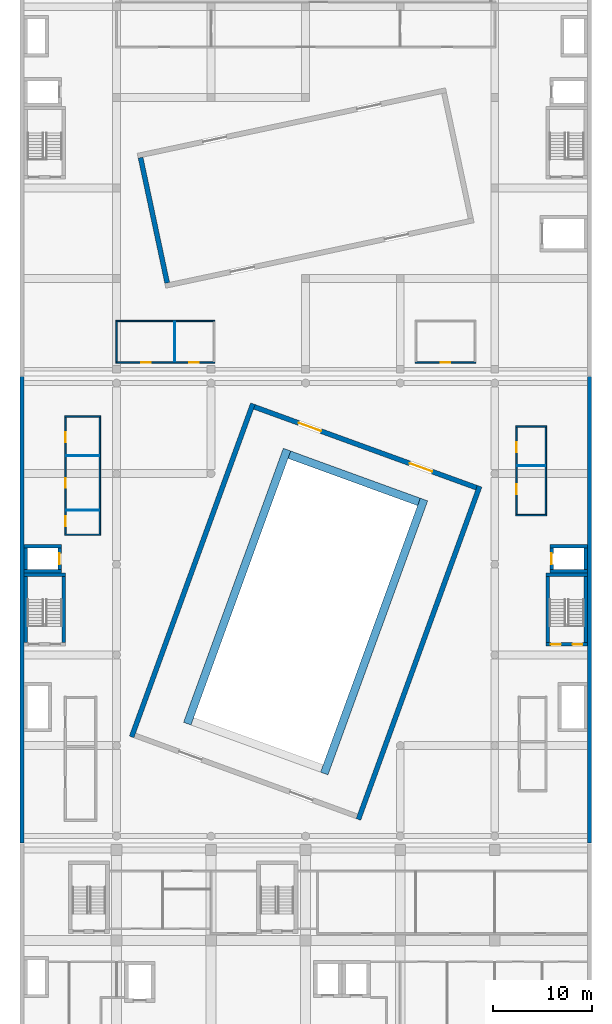
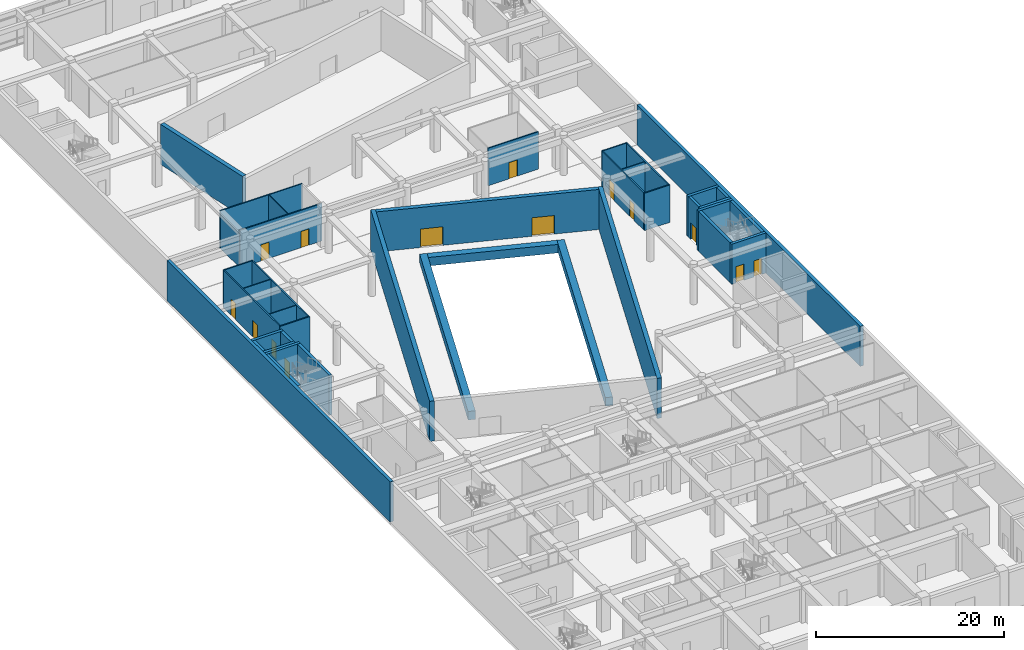
# One storey, part 12 of 31: 40 walls, 14 doors, 14 openings.
"""IFC4 building model written with IfcOpenShell, lengths in metres."""

import ifcopenshell
import ifcopenshell.guid

model = None  # the IFC model being written
_history = None  # IfcOwnerHistory: only IFC2X3 demands one
_inside = {}  # id of a spatial element -> (the spatial element, [elements in it])
_under = {}  # id of a project, library or spatial element -> (it, [spatial elements below it])
_declared = {}  # id of a project -> (the project, [libraries it declares])
_typed = {}  # id of a type object -> (the type object, [elements of that type])
_made_of = {}  # id of a material, layer set ... -> (it, [elements and type objects made of it])


def new_model(schema):
    """Start an empty IFC model of exactly this schema.

    Asked for "IFC4X3", IfcOpenShell would pick the latest addendum, in which some entities
    have other attributes; the version numbers below select the first issue.
    IFC2X3 requires an IfcOwnerHistory on every rooted entity: one is made here for all.
    """
    global model, _history
    if schema == "IFC4X3":
        model = ifcopenshell.file(schema_version=(4, 3, 0, 0))
    else:
        model = ifcopenshell.file(schema=schema)
    _inside.clear()
    _under.clear()
    _declared.clear()
    _typed.clear()
    _made_of.clear()
    _history = None
    if model.schema == "IFC2X3":
        org = make("IfcOrganization", Name="unknown")
        user = make(
            "IfcPersonAndOrganization",
            ThePerson=make("IfcPerson", FamilyName="unknown"),
            TheOrganization=org,
        )
        app = make(
            "IfcApplication",
            ApplicationDeveloper=org,
            Version="unknown",
            ApplicationFullName="unknown",
            ApplicationIdentifier="unknown",
        )
        _history = make(
            "IfcOwnerHistory",
            OwningUser=user,
            OwningApplication=app,
            ChangeAction="ADDED",
            CreationDate=0,
        )
    return model


def make(cls, **values):
    """One entity of the class cls with the attributes given. An attribute that is None is left unset."""
    return model.create_entity(
        cls, **{name: value for name, value in values.items() if value is not None}
    )


def rooted(cls, **values):
    """An entity with a GlobalId (a new one), such as an element, a storey or a relation."""
    return make(cls, GlobalId=ifcopenshell.guid.new(), OwnerHistory=_history, **values)


def si_unit(unit_type, name, prefix=None):
    """IfcSIUnit, for example si_unit("LENGTHUNIT", "METRE", prefix="MILLI")."""
    return make("IfcSIUnit", UnitType=unit_type, Prefix=prefix, Name=name)


def assignment(units):
    """IfcUnitAssignment: the units of a project."""
    return None if units is None else make("IfcUnitAssignment", Units=units)


def point(xyz):
    """IfcCartesianPoint."""
    return None if xyz is None else make("IfcCartesianPoint", Coordinates=xyz)


def direction(xyz):
    """IfcDirection."""
    return None if xyz is None else make("IfcDirection", DirectionRatios=xyz)


def frame(location, z_axis=None, x_axis=None):
    """IfcAxis2Placement3D, a coordinate frame: its origin and axes. An axis left out is left unset."""
    return make(
        "IfcAxis2Placement3D",
        Location=point(location),
        Axis=direction(z_axis),
        RefDirection=direction(x_axis),
    )


def frame_2d(location, x_axis=None):
    """IfcAxis2Placement2D, a coordinate frame in the plane: its origin and x axis."""
    return make(
        "IfcAxis2Placement2D", Location=point(location), RefDirection=direction(x_axis)
    )


def origin():
    """The frame at (0, 0, 0) with its axes left unset."""
    return frame((0.0, 0.0, 0.0))


def place(relative_to, where):
    """IfcLocalPlacement: puts the frame where relative to a parent placement (None: the world)."""
    return make(
        "IfcLocalPlacement", PlacementRelTo=relative_to, RelativePlacement=where
    )


def context(
    kind, dimensions, precision=None, world=None, true_north=None, identifier=None
):
    """IfcGeometricRepresentationContext, for example the 3D "Model" context."""
    return make(
        "IfcGeometricRepresentationContext",
        ContextIdentifier=identifier,
        ContextType=kind,
        CoordinateSpaceDimension=dimensions,
        Precision=precision,
        WorldCoordinateSystem=world,
        TrueNorth=true_north,
    )


def subcontext(parent, identifier, kind, view, scale=None):
    """IfcGeometricRepresentationSubContext, for example "Body" below "Model"."""
    return make(
        "IfcGeometricRepresentationSubContext",
        ContextIdentifier=identifier,
        ContextType=kind,
        ParentContext=parent,
        TargetScale=scale,
        TargetView=view,
    )


def project(units=None, contexts=None):
    """IfcProject with its units and contexts."""
    return rooted(
        "IfcProject",
        Name="project",
        RepresentationContexts=contexts,
        UnitsInContext=assignment(units),
    )


def spatial(cls, under=None, at=None, **own):
    """A site, building, storey or space (cls), placed at a placement, below another one or the project."""
    s = rooted(cls, ObjectPlacement=at, **own)
    if under is not None:
        _under.setdefault(under.id(), (under, []))[1].append(s)
    return s


def profile(cls, at=None, kind="AREA", **sizes):
    """A parametric profile (cls). Its sizes go by their IFC names, for example OverallWidth=200.0."""
    return make(cls, ProfileType=kind, Position=at, **sizes)


def rectangle(**sizes):
    """IfcRectangleProfileDef."""
    return profile("IfcRectangleProfileDef", **sizes)


def extrude(swept, where, along, depth):
    """IfcExtrudedAreaSolid: the profile swept, set in the frame where, extruded along a direction by depth."""
    return make(
        "IfcExtrudedAreaSolid",
        SweptArea=swept,
        Position=where,
        ExtrudedDirection=direction(along),
        Depth=depth,
    )


def shape(context_of_items, identifier, shape_type, items):
    """IfcShapeRepresentation: the items that make up one representation, for example the "Body"."""
    return make(
        "IfcShapeRepresentation",
        ContextOfItems=context_of_items,
        RepresentationIdentifier=identifier,
        RepresentationType=shape_type,
        Items=items,
    )


def material(Name=None, Category=None):
    """IfcMaterial."""
    return make("IfcMaterial", Name=Name, Category=Category)


def layer(
    of_material, thickness, ventilated=None, Name=None, Category=None, Priority=None
):
    """IfcMaterialLayer: one layer of a wall or slab, of a material (None: an air gap)."""
    return make(
        "IfcMaterialLayer",
        Material=of_material,
        LayerThickness=thickness,
        IsVentilated=ventilated,
        Name=Name,
        Category=Category,
        Priority=Priority,
    )


def layer_set(layers, Name=None):
    """IfcMaterialLayerSet."""
    return make("IfcMaterialLayerSet", MaterialLayers=layers, LayerSetName=Name)


def made_of(thing, what):
    """Note that an element or type object is made of a material, layer set ...; save() writes the relation."""
    if what is not None:
        _made_of.setdefault(what.id(), (what, []))[1].append(thing)
    return thing


def type_object(cls, material=None, **own):
    """A type object (cls), such as IfcWallType, which elements share."""
    return made_of(rooted(cls, **own), material)


def element(
    cls,
    number,
    at=None,
    inside=None,
    cuts=None,
    type_object=None,
    material=None,
    context=None,
    identifier="Body",
    shape_type=None,
    held_by="IfcProductDefinitionShape",
    body=None,
    shapes=None,
    **own,
):
    """One element of the class cls, such as IfcWall. Its Tag is "e" and its number.

    at: its placement. inside: the storey or other place that contains it. cuts: it is an
    opening in that element (IfcRelVoidsElement). A single representation is given by context,
    identifier, shape_type and body (its items); several are given by shapes. held_by: the class
    of the entity that holds the representations. save() writes the other relations.
    """
    e = rooted(cls, Tag="e%d" % number, ObjectPlacement=at, **own)
    if body is not None:
        shapes = [shape(context, identifier, shape_type, body)]
    if shapes is not None:
        e.Representation = make(held_by, Representations=shapes)
    if inside is not None:
        _inside.setdefault(inside.id(), (inside, []))[1].append(e)
    if cuts is not None:
        rooted(
            "IfcRelVoidsElement", RelatingBuildingElement=cuts, RelatedOpeningElement=e
        )
    if type_object is not None:
        _typed.setdefault(type_object.id(), (type_object, []))[1].append(e)
    return made_of(e, material)


def fill(opening, filler):
    """IfcRelFillsElement: the door or window that sits in an opening."""
    return rooted(
        "IfcRelFillsElement",
        RelatingOpeningElement=opening,
        RelatedBuildingElement=filler,
    )


def aggregate(whole, parts):
    """IfcRelAggregates: a whole, such as a stair, and the parts it consists of."""
    return rooted("IfcRelAggregates", RelatingObject=whole, RelatedObjects=parts)


def save(model, path):
    """Write the relations noted so far, then the file.

    IfcRelAggregates (storeys below a building ...), IfcRelContainedInSpatialStructure (elements
    in a storey), IfcRelDefinesByType, IfcRelAssociatesMaterial and IfcRelDeclares: one each for
    every whole, place, type object, material and project.
    """
    for whole, parts in _under.values():
        aggregate(whole, parts)
    for where, things in _inside.values():
        rooted(
            "IfcRelContainedInSpatialStructure",
            RelatedElements=things,
            RelatingStructure=where,
        )
    for kind, things in _typed.values():
        rooted("IfcRelDefinesByType", RelatedObjects=things, RelatingType=kind)
    for what, things in _made_of.values():
        rooted("IfcRelAssociatesMaterial", RelatedObjects=things, RelatingMaterial=what)
    for by, libraries in _declared.values():
        rooted("IfcRelDeclares", RelatingContext=by, RelatedDefinitions=libraries)
    model.write(path)


model = new_model("IFC4")

# Units and contexts
model_context = context("Model", 3, precision=1e-05, world=origin(), true_north=direction((0.0, 1.0)))
body_context = subcontext(model_context, "Body", "Model", "MODEL_VIEW")
ifc_project = project(units=[si_unit("LENGTHUNIT", "METRE"), si_unit("AREAUNIT", "SQUARE_METRE"), si_unit("VOLUMEUNIT", "CUBIC_METRE"), si_unit("PLANEANGLEUNIT", "RADIAN"), si_unit("MASSUNIT", "GRAM", prefix="KILO")], contexts=[model_context])

# Site, building, storey
site_placement = place(None, origin())
site = spatial("IfcSite", under=ifc_project, at=site_placement, CompositionType="ELEMENT")
building_placement = place(site_placement, origin())
building = spatial("IfcBuilding", under=site, at=building_placement, Name="Nzadi Deep Aquarium and Research Tower", CompositionType="ELEMENT")
storey_placement = place(building_placement, frame((0.0, 0.0, 26.699951171875)))
storey = spatial("IfcBuildingStorey", under=building, at=storey_placement, Name="L04", CompositionType="ELEMENT", Elevation=26.699951171875)

# Walls
ifc_material_1 = material(Name="Blockwork masonry", Category="masonry")
ifc_layer_1 = layer(ifc_material_1, 0.10009765625)
ifc_layer_set_1 = layer_set([ifc_layer_1], Name="Blockwork masonry")
wall_type_1 = type_object("IfcWallType", Name="Partition 100 EI 30", PredefinedType="PARTITIONING", material=ifc_layer_set_1)
for number, where, z_axis, x_axis, name in (
    (1, (4.47509765625, 80.5, 0.0), (0.0, 0.0, 1.0), (1.0, 0.0, 0.0), "W-Z2-L04-P006"),
    (2, (4.47509765625, 86.0, 0.0), (0.0, 0.0, 1.0), (1.0, 0.0, 0.0), "W-Z2-L04-P007"),
):
    element("IfcWall", number, at=place(storey_placement, frame(where, z_axis=z_axis, x_axis=x_axis)), inside=storey, type_object=wall_type_1, Name=name, PredefinedType="PARTITIONING", context=body_context, shape_type="SweptSolid", body=[
        extrude(rectangle(XDim=3.349853515625, YDim=0.10009765625, at=frame_2d((1.6748046875, 0.0))), origin(), (0.0, 0.0, 1.0), 4.85009765625),
    ])
wall_1_placement = place(storey_placement, frame((50.27490234375, 85.0, 0.0), z_axis=(0.0, 0.0, 1.0), x_axis=(1.0, 0.0, 0.0)))
element("IfcWall", 3, at=wall_1_placement, inside=storey, type_object=wall_type_1, Name="W-Z2-L04-P015", PredefinedType="PARTITIONING", context=body_context, shape_type="SweptSolid", body=[
    extrude(rectangle(XDim=2.85009765625, YDim=0.10009765625, at=frame_2d((1.425048828125, 0.0))), origin(), (0.0, 0.0, 1.0), 4.85009765625),
])
wall_2_placement = place(storey_placement, frame((15.5, 95.574951171875, 0.0), z_axis=(0.0, 0.0, 1.0), x_axis=(0.0, 1.0, 0.0)))
element("IfcWall", 4, at=wall_2_placement, inside=storey, type_object=wall_type_1, Name="W-Z3-L04-P009", PredefinedType="PARTITIONING", context=body_context, shape_type="SweptSolid", body=[
    extrude(rectangle(XDim=4.050048828125, YDim=0.10009765625, at=frame_2d((2.02490234375, 0.0))), origin(), (0.0, 0.0, 1.0), 4.85009765625),
])
ifc_material_2 = material(Name="Blockwork masonry", Category="masonry")
ifc_layer_2 = layer(ifc_material_2, 0.14990234375)
ifc_layer_set_2 = layer_set([ifc_layer_2], Name="Blockwork masonry")
wall_type_2 = type_object("IfcWallType", Name="Partition 150 EI 60", PredefinedType="PARTITIONING", material=ifc_layer_set_2)
wall_3_placement = place(storey_placement, frame((4.324951171875, 78.0, 0.0), z_axis=(0.0, 0.0, 1.0), x_axis=(1.0, 0.0, 0.0)))
element("IfcWall", 5, at=wall_3_placement, inside=storey, type_object=wall_type_2, Name="W-Z2-L04-P003", PredefinedType="PARTITIONING", context=body_context, shape_type="SweptSolid", body=[
    extrude(rectangle(XDim=3.650146484375, YDim=0.14990234375, at=frame_2d((1.8251953125, 0.0))), origin(), (0.0, 0.0, 1.0), 4.85009765625),
])

# Wall, openings, doors
wall_4_placement = place(storey_placement, frame((4.39990234375, 78.074951171875, 0.0), z_axis=(0.0, 0.0, 1.0), x_axis=(0.0, 1.0, 0.0)))
wall_4 = element("IfcWall", 6, at=wall_4_placement, inside=storey, type_object=wall_type_2, Name="W-Z2-L04-P004", PredefinedType="PARTITIONING", context=body_context, shape_type="SweptSolid", body=[
    extrude(rectangle(XDim=11.85009765625, YDim=0.14990234375, at=frame_2d((5.925048828125, 0.0))), origin(), (0.0, 0.0, 1.0), 4.85009765625),
])
opening_1_placement = place(wall_4_placement, frame((4.675048828125, 0.0, 0.0)))
opening_1 = element("IfcOpeningElement", 7, at=opening_1_placement, cuts=wall_4, Name="Opening D052005", PredefinedType="OPENING", context=body_context, shape_type="SweptSolid", body=[
    extrude(rectangle(XDim=1.0, YDim=2.10009765625, at=frame_2d((0.5, 1.050048828125))), frame((0.0, 0.0849609375, 0.0), z_axis=(0.0, -1.0, 0.0), x_axis=(1.0, 0.0, 0.0)), (0.0, 0.0, 1.0), 0.169921875),
])
opening_2_placement = place(wall_4_placement, frame((9.31494140625, 0.0, 0.0)))
opening_2 = element("IfcOpeningElement", 8, at=opening_2_placement, cuts=wall_4, Name="Opening D052006", PredefinedType="OPENING", context=body_context, shape_type="SweptSolid", body=[
    extrude(rectangle(XDim=1.0, YDim=2.10009765625, at=frame_2d((0.5, 1.050048828125))), frame((0.0, 0.0849609375, 0.0), z_axis=(0.0, -1.0, 0.0), x_axis=(1.0, 0.0, 0.0)), (0.0, 0.0, 1.0), 0.169921875),
])
opening_3_placement = place(wall_4_placement, frame((0.784912109375, 0.0, 0.0)))
opening_3 = element("IfcOpeningElement", 9, at=opening_3_placement, cuts=wall_4, Name="Opening D052009", PredefinedType="OPENING", context=body_context, shape_type="SweptSolid", body=[
    extrude(rectangle(XDim=1.0, YDim=2.10009765625, at=frame_2d((0.5, 1.050048828125))), frame((0.0, 0.0849609375, 0.0), z_axis=(0.0, -1.0, 0.0), x_axis=(1.0, 0.0, 0.0)), (0.0, 0.0, 1.0), 0.169921875),
])
ifc_material_3 = material(Name="Fire-rated steel door", Category="steel")
ifc_layer_3 = layer(ifc_material_3, 0.050048828125)
ifc_layer_set_3 = layer_set([ifc_layer_3], Name="Fire-rated steel door")
door_type_1 = type_object("IfcDoorType", Name="Door 1000x2100 EI 60 single", OperationType="SINGLE_SWING_LEFT", PredefinedType="DOOR", material=ifc_layer_set_3)
door_1_placement = place(opening_1_placement, origin())
door_1 = element("IfcDoor", 10, at=door_1_placement, inside=storey, type_object=door_type_1, Name="D052005", OperationType="SINGLE_SWING_RIGHT", OverallHeight=2.10009765625, OverallWidth=1.0, PredefinedType="DOOR", context=body_context, shape_type="SweptSolid", body=[
    extrude(rectangle(XDim=1.0, YDim=2.10009765625, at=frame_2d((0.5, 1.050048828125))), frame((0.0, 0.02490234375, 0.0), z_axis=(0.0, -1.0, 0.0), x_axis=(1.0, 0.0, 0.0)), (0.0, 0.0, 1.0), 0.050048828125),
])
fill(opening_1, door_1)
door_2_placement = place(opening_2_placement, origin())
door_2 = element("IfcDoor", 11, at=door_2_placement, inside=storey, type_object=door_type_1, Name="D052006", OperationType="SINGLE_SWING_LEFT", OverallHeight=2.10009765625, OverallWidth=1.0, PredefinedType="DOOR", context=body_context, shape_type="SweptSolid", body=[
    extrude(rectangle(XDim=1.0, YDim=2.10009765625, at=frame_2d((0.5, 1.050048828125))), frame((0.0, 0.02490234375, 0.0), z_axis=(0.0, -1.0, 0.0), x_axis=(1.0, 0.0, 0.0)), (0.0, 0.0, 1.0), 0.050048828125),
])
fill(opening_2, door_2)
door_3_placement = place(opening_3_placement, origin())
door_3 = element("IfcDoor", 12, at=door_3_placement, inside=storey, type_object=door_type_1, Name="D052009", OperationType="SINGLE_SWING_RIGHT", OverallHeight=2.10009765625, OverallWidth=1.0, PredefinedType="DOOR", context=body_context, shape_type="SweptSolid", body=[
    extrude(rectangle(XDim=1.0, YDim=2.10009765625, at=frame_2d((0.5, 1.050048828125))), frame((0.0, 0.02490234375, 0.0), z_axis=(0.0, -1.0, 0.0), x_axis=(1.0, 0.0, 0.0)), (0.0, 0.0, 1.0), 0.050048828125),
])
fill(opening_3, door_3)

# Walls
wall_5_placement = place(storey_placement, frame((4.324951171875, 90.0, 0.0), z_axis=(0.0, 0.0, 1.0), x_axis=(1.0, 0.0, 0.0)))
element("IfcWall", 13, at=wall_5_placement, inside=storey, type_object=wall_type_2, Name="W-Z2-L04-P005", PredefinedType="PARTITIONING", context=body_context, shape_type="SweptSolid", body=[
    extrude(rectangle(XDim=3.650146484375, YDim=0.14990234375, at=frame_2d((1.8251953125, 0.0))), origin(), (0.0, 0.0, 1.0), 4.85009765625),
])
wall_6_placement = place(storey_placement, frame((7.89990234375, 78.074951171875, 0.0), z_axis=(0.0, 0.0, 1.0), x_axis=(0.0, 1.0, 0.0)))
element("IfcWall", 14, at=wall_6_placement, inside=storey, type_object=wall_type_2, Name="W-Z2-L04-P011", PredefinedType="PARTITIONING", context=body_context, shape_type="SweptSolid", body=[
    extrude(rectangle(XDim=11.85009765625, YDim=0.14990234375, at=frame_2d((5.925048828125, 0.0))), origin(), (0.0, 0.0, 1.0), 4.85009765625),
])
wall_7_placement = place(storey_placement, frame((50.125, 80.0, 0.0), z_axis=(0.0, 0.0, 1.0), x_axis=(1.0, 0.0, 0.0)))
element("IfcWall", 15, at=wall_7_placement, inside=storey, type_object=wall_type_2, Name="W-Z2-L04-P012", PredefinedType="PARTITIONING", context=body_context, shape_type="SweptSolid", body=[
    extrude(rectangle(XDim=3.14990234375, YDim=0.14990234375, at=frame_2d((1.574951171875, 0.0))), origin(), (0.0, 0.0, 1.0), 4.85009765625),
])

# Wall, openings, doors
wall_8_placement = place(storey_placement, frame((50.199951171875, 80.074951171875, 0.0), z_axis=(0.0, 0.0, 1.0), x_axis=(0.0, 1.0, 0.0)))
wall_8 = element("IfcWall", 16, at=wall_8_placement, inside=storey, type_object=wall_type_2, Name="W-Z2-L04-P013", PredefinedType="PARTITIONING", context=body_context, shape_type="SweptSolid", body=[
    extrude(rectangle(XDim=8.85009765625, YDim=0.14990234375, at=frame_2d((4.425048828125, 0.0))), origin(), (0.0, 0.0, 1.0), 4.85009765625),
])
opening_4_placement = place(wall_8_placement, frame((2.034912109375, 0.0, 0.0)))
opening_4 = element("IfcOpeningElement", 17, at=opening_4_placement, cuts=wall_8, Name="Opening D052007", PredefinedType="OPENING", context=body_context, shape_type="SweptSolid", body=[
    extrude(rectangle(XDim=1.0, YDim=2.10009765625, at=frame_2d((0.5, 1.050048828125))), frame((0.0, 0.0849609375, 0.0), z_axis=(0.0, -1.0, 0.0), x_axis=(1.0, 0.0, 0.0)), (0.0, 0.0, 1.0), 0.169921875),
])
opening_5_placement = place(wall_8_placement, frame((6.31494140625, 0.0, 0.0)))
opening_5 = element("IfcOpeningElement", 18, at=opening_5_placement, cuts=wall_8, Name="Opening D052008", PredefinedType="OPENING", context=body_context, shape_type="SweptSolid", body=[
    extrude(rectangle(XDim=1.0, YDim=2.10009765625, at=frame_2d((0.5, 1.050048828125))), frame((0.0, 0.0849609375, 0.0), z_axis=(0.0, -1.0, 0.0), x_axis=(1.0, 0.0, 0.0)), (0.0, 0.0, 1.0), 0.169921875),
])
door_4_placement = place(opening_4_placement, origin())
door_4 = element("IfcDoor", 19, at=door_4_placement, inside=storey, type_object=door_type_1, Name="D052007", OperationType="SINGLE_SWING_RIGHT", OverallHeight=2.10009765625, OverallWidth=1.0, PredefinedType="DOOR", context=body_context, shape_type="SweptSolid", body=[
    extrude(rectangle(XDim=1.0, YDim=2.10009765625, at=frame_2d((0.5, 1.050048828125))), frame((0.0, 0.02490234375, 0.0), z_axis=(0.0, -1.0, 0.0), x_axis=(1.0, 0.0, 0.0)), (0.0, 0.0, 1.0), 0.050048828125),
])
fill(opening_4, door_4)
door_5_placement = place(opening_5_placement, origin())
door_5 = element("IfcDoor", 20, at=door_5_placement, inside=storey, type_object=door_type_1, Name="D052008", OperationType="SINGLE_SWING_LEFT", OverallHeight=2.10009765625, OverallWidth=1.0, PredefinedType="DOOR", context=body_context, shape_type="SweptSolid", body=[
    extrude(rectangle(XDim=1.0, YDim=2.10009765625, at=frame_2d((0.5, 1.050048828125))), frame((0.0, 0.02490234375, 0.0), z_axis=(0.0, -1.0, 0.0), x_axis=(1.0, 0.0, 0.0)), (0.0, 0.0, 1.0), 0.050048828125),
])
fill(opening_5, door_5)

# Walls
wall_9_placement = place(storey_placement, frame((50.125, 89.0, 0.0), z_axis=(0.0, 0.0, 1.0), x_axis=(1.0, 0.0, 0.0)))
element("IfcWall", 21, at=wall_9_placement, inside=storey, type_object=wall_type_2, Name="W-Z2-L04-P014", PredefinedType="PARTITIONING", context=body_context, shape_type="SweptSolid", body=[
    extrude(rectangle(XDim=3.14990234375, YDim=0.14990234375, at=frame_2d((1.574951171875, 0.0))), origin(), (0.0, 0.0, 1.0), 4.85009765625),
])
wall_10_placement = place(storey_placement, frame((53.199951171875, 80.074951171875, 0.0), z_axis=(0.0, 0.0, 1.0), x_axis=(0.0, 1.0, 0.0)))
element("IfcWall", 22, at=wall_10_placement, inside=storey, type_object=wall_type_2, Name="W-Z2-L04-P021", PredefinedType="PARTITIONING", context=body_context, shape_type="SweptSolid", body=[
    extrude(rectangle(XDim=8.85009765625, YDim=0.14990234375, at=frame_2d((4.425048828125, 0.0))), origin(), (0.0, 0.0, 1.0), 4.85009765625),
])

# Wall, openings, doors
wall_11_placement = place(storey_placement, frame((9.52490234375, 95.5, 0.0), z_axis=(0.0, 0.0, 1.0), x_axis=(1.0, 0.0, 0.0)))
wall_11 = element("IfcWall", 23, at=wall_11_placement, inside=storey, type_object=wall_type_2, Name="W-Z3-L04-P001", PredefinedType="PARTITIONING", context=body_context, shape_type="SweptSolid", body=[
    extrude(rectangle(XDim=10.050048828125, YDim=0.14990234375, at=frame_2d((5.02490234375, 0.0))), origin(), (0.0, 0.0, 1.0), 4.85009765625),
])
opening_6_placement = place(wall_11_placement, frame((2.56005859375, 0.0, 0.0)))
opening_6 = element("IfcOpeningElement", 24, at=opening_6_placement, cuts=wall_11, Name="Opening D053001", PredefinedType="OPENING", context=body_context, shape_type="SweptSolid", body=[
    extrude(rectangle(XDim=1.0, YDim=2.10009765625, at=frame_2d((0.5, 1.050048828125))), frame((0.0, 0.0849609375, 0.0), z_axis=(0.0, -1.0, 0.0), x_axis=(1.0, 0.0, 0.0)), (0.0, 0.0, 1.0), 0.169921875),
])
opening_7_placement = place(wall_11_placement, frame((7.43994140625, 0.0, 0.0)))
opening_7 = element("IfcOpeningElement", 25, at=opening_7_placement, cuts=wall_11, Name="Opening D053002", PredefinedType="OPENING", context=body_context, shape_type="SweptSolid", body=[
    extrude(rectangle(XDim=1.0, YDim=2.10009765625, at=frame_2d((0.5, 1.050048828125))), frame((0.0, 0.0849609375, 0.0), z_axis=(0.0, -1.0, 0.0), x_axis=(1.0, 0.0, 0.0)), (0.0, 0.0, 1.0), 0.169921875),
])
door_6_placement = place(opening_6_placement, origin())
door_6 = element("IfcDoor", 26, at=door_6_placement, inside=storey, type_object=door_type_1, Name="D053001", OperationType="SINGLE_SWING_LEFT", OverallHeight=2.10009765625, OverallWidth=1.0, PredefinedType="DOOR", context=body_context, shape_type="SweptSolid", body=[
    extrude(rectangle(XDim=1.0, YDim=2.10009765625, at=frame_2d((0.5, 1.050048828125))), frame((0.0, 0.02490234375, 0.0), z_axis=(0.0, -1.0, 0.0), x_axis=(1.0, 0.0, 0.0)), (0.0, 0.0, 1.0), 0.050048828125),
])
fill(opening_6, door_6)
door_7_placement = place(opening_7_placement, origin())
door_7 = element("IfcDoor", 27, at=door_7_placement, inside=storey, type_object=door_type_1, Name="D053002", OperationType="SINGLE_SWING_RIGHT", OverallHeight=2.10009765625, OverallWidth=1.0, PredefinedType="DOOR", context=body_context, shape_type="SweptSolid", body=[
    extrude(rectangle(XDim=1.0, YDim=2.10009765625, at=frame_2d((0.5, 1.050048828125))), frame((0.0, 0.02490234375, 0.0), z_axis=(0.0, -1.0, 0.0), x_axis=(1.0, 0.0, 0.0)), (0.0, 0.0, 1.0), 0.050048828125),
])
fill(opening_7, door_7)

# Wall
wall_12_placement = place(storey_placement, frame((9.52490234375, 99.699951171875, 0.0), z_axis=(0.0, 0.0, 1.0), x_axis=(1.0, 0.0, 0.0)))
element("IfcWall", 28, at=wall_12_placement, inside=storey, type_object=wall_type_2, Name="W-Z3-L04-P003", PredefinedType="PARTITIONING", context=body_context, shape_type="SweptSolid", body=[
    extrude(rectangle(XDim=10.050048828125, YDim=0.14990234375, at=frame_2d((5.02490234375, 0.0))), origin(), (0.0, 0.0, 1.0), 4.85009765625),
])

# Wall, opening, door
wall_13_placement = place(storey_placement, frame((39.925048828125, 95.5, 0.0), z_axis=(0.0, 0.0, 1.0), x_axis=(1.0, 0.0, 0.0)))
wall_13 = element("IfcWall", 29, at=wall_13_placement, inside=storey, type_object=wall_type_2, Name="W-Z3-L04-P016", PredefinedType="PARTITIONING", context=body_context, shape_type="SweptSolid", body=[
    extrude(rectangle(XDim=6.14990234375, YDim=0.14990234375, at=frame_2d((3.074951171875, 0.0))), origin(), (0.0, 0.0, 1.0), 4.85009765625),
])
opening_8_placement = place(wall_13_placement, frame((2.574951171875, 0.0, 0.0)))
opening_8 = element("IfcOpeningElement", 30, at=opening_8_placement, cuts=wall_13, Name="Opening D053003", PredefinedType="OPENING", context=body_context, shape_type="SweptSolid", body=[
    extrude(rectangle(XDim=1.0, YDim=2.10009765625, at=frame_2d((0.5, 1.050048828125))), frame((0.0, 0.0849609375, 0.0), z_axis=(0.0, -1.0, 0.0), x_axis=(1.0, 0.0, 0.0)), (0.0, 0.0, 1.0), 0.169921875),
])
door_8_placement = place(opening_8_placement, origin())
door_8 = element("IfcDoor", 31, at=door_8_placement, inside=storey, type_object=door_type_1, Name="D053003", OperationType="SINGLE_SWING_LEFT", OverallHeight=2.10009765625, OverallWidth=1.0, PredefinedType="DOOR", context=body_context, shape_type="SweptSolid", body=[
    extrude(rectangle(XDim=1.0, YDim=2.10009765625, at=frame_2d((0.5, 1.050048828125))), frame((0.0, 0.02490234375, 0.0), z_axis=(0.0, -1.0, 0.0), x_axis=(1.0, 0.0, 0.0)), (0.0, 0.0, 1.0), 0.050048828125),
])
fill(opening_8, door_8)

# Walls
ifc_material_4 = material(Name="Blockwork masonry", Category="masonry")
ifc_layer_4 = layer(ifc_material_4, 0.14990234375)
ifc_layer_set_4 = layer_set([ifc_layer_4], Name="Blockwork masonry")
wall_type_3 = type_object("IfcWallType", Name="Partition 150 EI 60, 4.45 m high", PredefinedType="PARTITIONING", material=ifc_layer_set_4)
wall_14_placement = place(storey_placement, frame((9.60009765625, 95.574951171875, 0.0), z_axis=(0.0, 0.0, 1.0), x_axis=(0.0, 1.0, 0.0)))
element("IfcWall", 32, at=wall_14_placement, inside=storey, type_object=wall_type_3, Name="W-Z3-L04-P002", PredefinedType="PARTITIONING", context=body_context, shape_type="SweptSolid", body=[
    extrude(rectangle(XDim=4.050048828125, YDim=0.14990234375, at=frame_2d((2.02490234375, 0.0))), origin(), (0.0, 0.0, 1.0), 4.449951171875),
])
ifc_material_5 = material(Name="Concrete C35/45", Category="concrete")
ifc_layer_5 = layer(ifc_material_5, 0.35009765625)
ifc_layer_set_5 = layer_set([ifc_layer_5], Name="Concrete C35/45")
wall_type_4 = type_object("IfcWallType", Name="RC core wall 350", PredefinedType="SHEAR", material=ifc_layer_set_5)
wall_15_placement = place(storey_placement, frame((0.199951171875, 73.925048828125, 0.0), z_axis=(0.0, 0.0, 1.0), x_axis=(1.0, 0.0, 0.0)))
element("IfcWall", 33, at=wall_15_placement, inside=storey, type_object=wall_type_4, Name="W-CORE-ST-Z2-W-L04-N", PredefinedType="SHEAR", context=body_context, shape_type="SweptSolid", body=[
    extrude(rectangle(XDim=4.199951171875, YDim=0.35009765625, at=frame_2d((2.10009765625, 0.0))), origin(), (0.0, 0.0, 1.0), 5.199951171875),
])
for number, where, z_axis, x_axis, name in (
    (34, (0.375, 67.050048828125, 0.0), (0.0, 0.0, 1.0), (0.0, 1.0, 0.0), "W-CORE-ST-Z2-W-L04-W"),
    (35, (4.22509765625, 67.050048828125, 0.0), (0.0, 0.0, 1.0), (0.0, 1.0, 0.0), "W-CORE-ST-Z2-W-L04-E"),
):
    element("IfcWall", number, at=place(storey_placement, frame(where, z_axis=z_axis, x_axis=x_axis)), inside=storey, type_object=wall_type_4, Name=name, PredefinedType="SHEAR", context=body_context, shape_type="SweptSolid", body=[
        extrude(rectangle(XDim=6.699951171875, YDim=0.35009765625, at=frame_2d((3.35009765625, 0.0))), origin(), (0.0, 0.0, 1.0), 5.199951171875),
    ])

# Wall, openings, doors
wall_16_placement = place(storey_placement, frame((53.199951171875, 66.875, 0.0), z_axis=(0.0, 0.0, 1.0), x_axis=(1.0, 0.0, 0.0)))
wall_16 = element("IfcWall", 36, at=wall_16_placement, inside=storey, type_object=wall_type_4, Name="W-CORE-ST-Z2-E-L04-S", PredefinedType="SHEAR", context=body_context, shape_type="SweptSolid", body=[
    extrude(rectangle(XDim=4.199951171875, YDim=0.35009765625, at=frame_2d((2.10009765625, 0.0))), origin(), (0.0, 0.0, 1.0), 5.199951171875),
])
opening_9_placement = place(wall_16_placement, frame((0.5, 0.0, 0.0)))
opening_9 = element("IfcOpeningElement", 37, at=opening_9_placement, cuts=wall_16, Name="Opening DS-Z2-E-L04A", PredefinedType="OPENING", context=body_context, shape_type="SweptSolid", body=[
    extrude(rectangle(XDim=1.0, YDim=2.10009765625, at=frame_2d((0.5, 1.050048828125))), frame((0.0, 0.18505859375, 0.0), z_axis=(0.0, -1.0, 0.0), x_axis=(1.0, 0.0, 0.0)), (0.0, 0.0, 1.0), 0.3701171875),
])
opening_10_placement = place(wall_16_placement, frame((2.699951171875, 0.0, 0.0)))
opening_10 = element("IfcOpeningElement", 38, at=opening_10_placement, cuts=wall_16, Name="Opening DS-Z2-E-L04B", PredefinedType="OPENING", context=body_context, shape_type="SweptSolid", body=[
    extrude(rectangle(XDim=1.0, YDim=2.10009765625, at=frame_2d((0.5, 1.050048828125))), frame((0.0, 0.18505859375, 0.0), z_axis=(0.0, -1.0, 0.0), x_axis=(1.0, 0.0, 0.0)), (0.0, 0.0, 1.0), 0.3701171875),
])
ifc_material_6 = material(Name="Steel, powder coated", Category="steel")
door_type_2 = type_object("IfcDoorType", Name="STAIR DOOR 1000x2100 EI 60", OperationType="SINGLE_SWING_LEFT", PredefinedType="DOOR", material=ifc_material_6)
door_9_placement = place(opening_9_placement, origin())
door_9 = element("IfcDoor", 39, at=door_9_placement, inside=storey, type_object=door_type_2, Name="Stair door ST-Z2-E L04 A", OperationType="SINGLE_SWING_RIGHT", OverallHeight=2.10009765625, OverallWidth=1.0, PredefinedType="DOOR", context=body_context, shape_type="SweptSolid", body=[
    extrude(rectangle(XDim=1.0, YDim=2.10009765625, at=frame_2d((0.5, 1.050048828125))), frame((0.0, 0.02490234375, 0.0), z_axis=(0.0, -1.0, 0.0), x_axis=(1.0, 0.0, 0.0)), (0.0, 0.0, 1.0), 0.050048828125),
])
fill(opening_9, door_9)
door_10_placement = place(opening_10_placement, origin())
door_10 = element("IfcDoor", 40, at=door_10_placement, inside=storey, type_object=door_type_2, Name="Stair door ST-Z2-E L04 B", OperationType="SINGLE_SWING_LEFT", OverallHeight=2.10009765625, OverallWidth=1.0, PredefinedType="DOOR", context=body_context, shape_type="SweptSolid", body=[
    extrude(rectangle(XDim=1.0, YDim=2.10009765625, at=frame_2d((0.5, 1.050048828125))), frame((0.0, 0.02490234375, 0.0), z_axis=(0.0, -1.0, 0.0), x_axis=(1.0, 0.0, 0.0)), (0.0, 0.0, 1.0), 0.050048828125),
])
fill(opening_10, door_10)

# Walls
wall_17_placement = place(storey_placement, frame((53.199951171875, 73.925048828125, 0.0), z_axis=(0.0, 0.0, 1.0), x_axis=(1.0, 0.0, 0.0)))
element("IfcWall", 41, at=wall_17_placement, inside=storey, type_object=wall_type_4, Name="W-CORE-ST-Z2-E-L04-N", PredefinedType="SHEAR", context=body_context, shape_type="SweptSolid", body=[
    extrude(rectangle(XDim=4.199951171875, YDim=0.35009765625, at=frame_2d((2.10009765625, 0.0))), origin(), (0.0, 0.0, 1.0), 5.199951171875),
])
for number, where, z_axis, x_axis, name in (
    (42, (53.375, 67.050048828125, 0.0), (0.0, 0.0, 1.0), (0.0, 1.0, 0.0), "W-CORE-ST-Z2-E-L04-W"),
    (43, (57.22509765625, 67.050048828125, 0.0), (0.0, 0.0, 1.0), (0.0, 1.0, 0.0), "W-CORE-ST-Z2-E-L04-E"),
):
    element("IfcWall", number, at=place(storey_placement, frame(where, z_axis=z_axis, x_axis=x_axis)), inside=storey, type_object=wall_type_4, Name=name, PredefinedType="SHEAR", context=body_context, shape_type="SweptSolid", body=[
        extrude(rectangle(XDim=6.699951171875, YDim=0.35009765625, at=frame_2d((3.35009765625, 0.0))), origin(), (0.0, 0.0, 1.0), 5.199951171875),
    ])
for number, where, z_axis, x_axis, name in (
    (44, (0.199951171875, 74.27490234375, 0.0), (0.0, 0.0, 1.0), (1.0, 0.0, 0.0), "W-CORE-PL3-L04-S"),
    (45, (0.199951171875, 76.824951171875, 0.0), (0.0, 0.0, 1.0), (1.0, 0.0, 0.0), "W-CORE-PL3-L04-N"),
):
    element("IfcWall", number, at=place(storey_placement, frame(where, z_axis=z_axis, x_axis=x_axis)), inside=storey, type_object=wall_type_4, Name=name, PredefinedType="SHEAR", context=body_context, shape_type="SweptSolid", body=[
        extrude(rectangle(XDim=3.800048828125, YDim=0.35009765625, at=frame_2d((1.89990234375, 0.0))), origin(), (0.0, 0.0, 1.0), 5.199951171875),
    ])
wall_18_placement = place(storey_placement, frame((0.375, 74.449951171875, 0.0), z_axis=(0.0, 0.0, 1.0), x_axis=(0.0, 1.0, 0.0)))
element("IfcWall", 46, at=wall_18_placement, inside=storey, type_object=wall_type_4, Name="W-CORE-PL3-L04-W", PredefinedType="SHEAR", context=body_context, shape_type="SweptSolid", body=[
    extrude(rectangle(XDim=2.199951171875, YDim=0.35009765625, at=frame_2d((1.10009765625, 0.0))), origin(), (0.0, 0.0, 1.0), 5.199951171875),
])

# Wall, opening, door
wall_19_placement = place(storey_placement, frame((3.824951171875, 74.449951171875, 0.0), z_axis=(0.0, 0.0, 1.0), x_axis=(0.0, 1.0, 0.0)))
wall_19 = element("IfcWall", 47, at=wall_19_placement, inside=storey, type_object=wall_type_4, Name="W-CORE-PL3-L04-E", PredefinedType="SHEAR", context=body_context, shape_type="SweptSolid", body=[
    extrude(rectangle(XDim=2.199951171875, YDim=0.35009765625, at=frame_2d((1.10009765625, 0.0))), origin(), (0.0, 0.0, 1.0), 5.199951171875),
])
opening_11_placement = place(wall_19_placement, frame((0.550048828125, 0.0, 0.0)))
opening_11 = element("IfcOpeningElement", 48, at=opening_11_placement, cuts=wall_19, Name="Opening LD-PL3-L04", PredefinedType="OPENING", context=body_context, shape_type="SweptSolid", body=[
    extrude(rectangle(XDim=1.10009765625, YDim=2.10009765625, at=frame_2d((0.550048828125, 1.050048828125))), frame((0.0, 0.18505859375, 0.0), z_axis=(0.0, -1.0, 0.0), x_axis=(1.0, 0.0, 0.0)), (0.0, 0.0, 1.0), 0.3701171875),
])
ifc_material_7 = material(Name="Stainless steel 1.4301", Category="steel")
door_type_3 = type_object("IfcDoorType", Name="LANDING DOOR 1100x2100", OperationType="DOUBLE_DOOR_SLIDING", PredefinedType="DOOR", material=ifc_material_7)
door_11_placement = place(opening_11_placement, origin())
door_11 = element("IfcDoor", 49, at=door_11_placement, inside=storey, type_object=door_type_3, Name="Landing door PL3 L04", OperationType="DOUBLE_DOOR_SLIDING", OverallHeight=2.10009765625, OverallWidth=1.10009765625, PredefinedType="DOOR", context=body_context, shape_type="SweptSolid", body=[
    extrude(rectangle(XDim=1.10009765625, YDim=2.10009765625, at=frame_2d((0.550048828125, 1.050048828125))), frame((0.0, 0.02490234375, 0.0), z_axis=(0.0, -1.0, 0.0), x_axis=(1.0, 0.0, 0.0)), (0.0, 0.0, 1.0), 0.050048828125),
])
fill(opening_11, door_11)

# Walls
for number, where, z_axis, x_axis, name in (
    (50, (53.60009765625, 74.27490234375, 0.0), (0.0, 0.0, 1.0), (1.0, 0.0, 0.0), "W-CORE-PL4-L04-S"),
    (51, (53.60009765625, 76.824951171875, 0.0), (0.0, 0.0, 1.0), (1.0, 0.0, 0.0), "W-CORE-PL4-L04-N"),
):
    element("IfcWall", number, at=place(storey_placement, frame(where, z_axis=z_axis, x_axis=x_axis)), inside=storey, type_object=wall_type_4, Name=name, PredefinedType="SHEAR", context=body_context, shape_type="SweptSolid", body=[
        extrude(rectangle(XDim=3.7998046875, YDim=0.35009765625, at=frame_2d((1.89990234375, 0.0))), origin(), (0.0, 0.0, 1.0), 5.199951171875),
    ])

# Wall, opening, door
wall_20_placement = place(storey_placement, frame((53.77490234375, 74.449951171875, 0.0), z_axis=(0.0, 0.0, 1.0), x_axis=(0.0, 1.0, 0.0)))
wall_20 = element("IfcWall", 52, at=wall_20_placement, inside=storey, type_object=wall_type_4, Name="W-CORE-PL4-L04-W", PredefinedType="SHEAR", context=body_context, shape_type="SweptSolid", body=[
    extrude(rectangle(XDim=2.199951171875, YDim=0.35009765625, at=frame_2d((1.10009765625, 0.0))), origin(), (0.0, 0.0, 1.0), 5.199951171875),
])
opening_12_placement = place(wall_20_placement, frame((0.550048828125, 0.0, 0.0)))
opening_12 = element("IfcOpeningElement", 53, at=opening_12_placement, cuts=wall_20, Name="Opening LD-PL4-L04", PredefinedType="OPENING", context=body_context, shape_type="SweptSolid", body=[
    extrude(rectangle(XDim=1.10009765625, YDim=2.10009765625, at=frame_2d((0.550048828125, 1.050048828125))), frame((0.0, 0.18505859375, 0.0), z_axis=(0.0, -1.0, 0.0), x_axis=(1.0, 0.0, 0.0)), (0.0, 0.0, 1.0), 0.3701171875),
])
door_12_placement = place(opening_12_placement, origin())
door_12 = element("IfcDoor", 54, at=door_12_placement, inside=storey, type_object=door_type_3, Name="Landing door PL4 L04", OperationType="DOUBLE_DOOR_SLIDING", OverallHeight=2.10009765625, OverallWidth=1.10009765625, PredefinedType="DOOR", context=body_context, shape_type="SweptSolid", body=[
    extrude(rectangle(XDim=1.10009765625, YDim=2.10009765625, at=frame_2d((0.550048828125, 1.050048828125))), frame((0.0, 0.02490234375, 0.0), z_axis=(0.0, -1.0, 0.0), x_axis=(1.0, 0.0, 0.0)), (0.0, 0.0, 1.0), 0.050048828125),
])
fill(opening_12, door_12)

# Walls
wall_21_placement = place(storey_placement, frame((57.22509765625, 74.449951171875, 0.0), z_axis=(0.0, 0.0, 1.0), x_axis=(0.0, 1.0, 0.0)))
element("IfcWall", 55, at=wall_21_placement, inside=storey, type_object=wall_type_4, Name="W-CORE-PL4-L04-E", PredefinedType="SHEAR", context=body_context, shape_type="SweptSolid", body=[
    extrude(rectangle(XDim=2.199951171875, YDim=0.35009765625, at=frame_2d((1.10009765625, 0.0))), origin(), (0.0, 0.0, 1.0), 5.199951171875),
])
ifc_material_8 = material(Name="Concrete C35/45", Category="concrete")
ifc_layer_6 = layer(ifc_material_8, 0.5)
ifc_layer_set_6 = layer_set([ifc_layer_6], Name="Concrete C35/45")
wall_type_5 = type_object("IfcWallType", Name="RC envelope wall 500", PredefinedType="SHEAR", material=ifc_layer_set_6)
wall_22_placement = place(storey_placement, frame((11.13232421875, 57.475341796875, 0.0), z_axis=(0.0, 0.0, 1.0), x_axis=(0.342021295667, 0.939692201367, 0.0)))
element("IfcWall", 56, at=wall_22_placement, inside=storey, type_object=wall_type_5, Name="W-PR-L04-W", PredefinedType="SHEAR", context=body_context, shape_type="SweptSolid", body=[
    extrude(rectangle(XDim=36.0, YDim=0.5, at=frame_2d((18.0, 0.0))), origin(), (0.0, 0.0, 1.0), 5.199951171875),
])
wall_23_placement = place(storey_placement, frame((34.15478515625, 49.095703125, 0.0), z_axis=(0.0, 0.0, 1.0), x_axis=(0.342019116079, 0.939692994673, 0.0)))
element("IfcWall", 57, at=wall_23_placement, inside=storey, type_object=wall_type_5, Name="W-PR-L04-E", PredefinedType="SHEAR", context=body_context, shape_type="SweptSolid", body=[
    extrude(rectangle(XDim=36.000244140625, YDim=0.5, at=frame_2d((18.0, 0.0))), origin(), (0.0, 0.0, 1.0), 5.199951171875),
])

# Wall, openings, doors
wall_24_placement = place(storey_placement, frame((23.594482421875, 90.98388671875, 0.0), z_axis=(0.0, 0.0, 1.0), x_axis=(0.939692994673, -0.342019116079, 0.0)))
wall_24 = element("IfcWall", 58, at=wall_24_placement, inside=storey, type_object=wall_type_5, Name="W-PR-L04-N", PredefinedType="SHEAR", context=body_context, shape_type="SweptSolid", body=[
    extrude(rectangle(XDim=24.0, YDim=0.5, at=frame_2d((12.0, 0.0))), origin(), (0.0, 0.0, 1.0), 5.199951171875),
])
opening_13_placement = place(wall_24_placement, frame((4.800048828125, 0.0, 0.0)))
opening_13 = element("IfcOpeningElement", 59, at=opening_13_placement, cuts=wall_24, Name="Opening D052011", PredefinedType="OPENING", context=body_context, shape_type="SweptSolid", body=[
    extrude(rectangle(XDim=2.39990234375, YDim=2.39990234375, at=frame_2d((1.199951171875, 1.199951171875))), frame((0.0, 0.260009765625, 0.0), z_axis=(0.0, -1.0, 0.0), x_axis=(1.0, 0.0, 0.0)), (0.0, 0.0, 1.0), 0.52001953125),
])
opening_14_placement = place(wall_24_placement, frame((16.800048828125, 0.0, 0.0)))
opening_14 = element("IfcOpeningElement", 60, at=opening_14_placement, cuts=wall_24, Name="Opening D052013", PredefinedType="OPENING", context=body_context, shape_type="SweptSolid", body=[
    extrude(rectangle(XDim=2.39990234375, YDim=2.39990234375, at=frame_2d((1.199951171875, 1.199951171875))), frame((0.0, 0.260009765625, 0.0), z_axis=(0.0, -1.0, 0.0), x_axis=(1.0, 0.0, 0.0)), (0.0, 0.0, 1.0), 0.52001953125),
])
ifc_material_9 = material(Name="Fire-rated steel door", Category="steel")
ifc_layer_7 = layer(ifc_material_9, 0.050048828125)
ifc_layer_set_7 = layer_set([ifc_layer_7], Name="Fire-rated steel door")
door_type_4 = type_object("IfcDoorType", Name="Door 2400x2400 EI 120 double", OperationType="DOUBLE_DOOR_SINGLE_SWING", PredefinedType="DOOR", material=ifc_layer_set_7)
door_13_placement = place(opening_13_placement, origin())
door_13 = element("IfcDoor", 61, at=door_13_placement, inside=storey, type_object=door_type_4, Name="D052011", OperationType="DOUBLE_DOOR_SINGLE_SWING", OverallHeight=2.39990234375, OverallWidth=2.39990234375, PredefinedType="DOOR", context=body_context, shape_type="SweptSolid", body=[
    extrude(rectangle(XDim=2.39990234375, YDim=2.39990234375, at=frame_2d((1.199951171875, 1.199951171875))), frame((0.0, 0.02490234375, 0.0), z_axis=(0.0, -1.0, 0.0), x_axis=(1.0, 0.0, 0.0)), (0.0, 0.0, 1.0), 0.050048828125),
])
fill(opening_13, door_13)
door_14_placement = place(opening_14_placement, origin())
door_14 = element("IfcDoor", 62, at=door_14_placement, inside=storey, type_object=door_type_4, Name="D052013", OperationType="DOUBLE_DOOR_SINGLE_SWING", OverallHeight=2.39990234375, OverallWidth=2.39990234375, PredefinedType="DOOR", context=body_context, shape_type="SweptSolid", body=[
    extrude(rectangle(XDim=2.39990234375, YDim=2.39990234375, at=frame_2d((1.199951171875, 1.199951171875))), frame((0.0, 0.02490234375, 0.0), z_axis=(0.0, -1.0, 0.0), x_axis=(1.0, 0.0, 0.0)), (0.0, 0.0, 1.0), 0.050048828125),
])
fill(opening_14, door_14)

# Walls
wall_25_placement = place(storey_placement, frame((14.74560546875, 103.5673828125, 0.0), z_axis=(0.0, 0.0, 1.0), x_axis=(-0.207911537827, 0.978147633253, 0.0)))
element("IfcWall", 63, at=wall_25_placement, inside=storey, type_object=wall_type_5, Name="W-BL-L04-W", PredefinedType="SHEAR", context=body_context, shape_type="SweptSolid", body=[
    extrude(rectangle(XDim=13.000244140625, YDim=0.5, at=frame_2d((6.5, 0.0))), origin(), (0.0, 0.0, 1.0), 5.199951171875),
])
ifc_material_10 = material(Name="Concrete C35/45", Category="concrete")
ifc_layer_8 = layer(ifc_material_10, 0.39990234375)
ifc_layer_set_8 = layer_set([ifc_layer_8], Name="Concrete C35/45")
wall_type_6 = type_object("IfcWallType", Name="RC party wall 400", PredefinedType="SHEAR", material=ifc_layer_set_8)
for number, where, z_axis, x_axis, name in (
    (64, (0.00048828125, 46.719970703125, 0.0), (0.0, 0.0, 1.0), (0.0, 1.0, 0.0), "W-PTY-Z2-L04-W"),
    (65, (57.599609375, 46.719970703125, 0.0), (0.0, 0.0, 1.0), (0.0, 1.0, 0.0), "W-PTY-Z2-L04-E"),
):
    element("IfcWall", number, at=place(storey_placement, frame(where, z_axis=z_axis, x_axis=x_axis)), inside=storey, type_object=wall_type_6, Name=name, PredefinedType="SHEAR", context=body_context, shape_type="SweptSolid", body=[
        extrude(rectangle(XDim=47.360107421875, YDim=0.39990234375, at=frame_2d((23.68017578125, 0.0))), origin(), (0.0, 0.0, 1.0), 5.199951171875),
    ])
ifc_material_11 = material(Name="Concrete C40/50", Category="concrete")
ifc_layer_9 = layer(ifc_material_11, 0.800048828125)
ifc_layer_set_9 = layer_set([ifc_layer_9], Name="Concrete C40/50")
wall_type_7 = type_object("IfcWallType", Name="RC tank wall 800 C40/50", PredefinedType="SOLIDWALL", material=ifc_layer_set_9)
wall_26_placement = place(storey_placement, frame((16.784423828125, 58.823486328125, 0.0), z_axis=(0.0, 0.0, 1.0), x_axis=(0.342019205328, 0.939692962188, 0.0)))
element("IfcWall", 66, at=wall_26_placement, inside=storey, type_object=wall_type_7, Name="W-TK-L04-W", PredefinedType="SOLIDWALL", context=body_context, shape_type="SweptSolid", body=[
    extrude(rectangle(XDim=29.60009765625, YDim=0.800048828125, at=frame_2d((14.800048828125, 0.0))), origin(), (0.0, 0.0, 1.0), 1.10009765625),
])
wall_27_placement = place(storey_placement, frame((30.69189453125, 53.76171875, 0.0), z_axis=(0.0, 0.0, 1.0), x_axis=(0.342021856193, 0.939691997352, 0.0)))
element("IfcWall", 67, at=wall_27_placement, inside=storey, type_object=wall_type_7, Name="W-TK-L04-E", PredefinedType="SOLIDWALL", context=body_context, shape_type="SweptSolid", body=[
    extrude(rectangle(XDim=29.599853515625, YDim=0.800048828125, at=frame_2d((14.7998046875, 0.0))), origin(), (0.0, 0.0, 1.0), 1.10009765625),
])
wall_28_placement = place(storey_placement, frame((27.147216796875, 86.125732421875, 0.0), z_axis=(0.0, 0.0, 1.0), x_axis=(0.939692060566, -0.342021682513, 0.0)))
element("IfcWall", 68, at=wall_28_placement, inside=storey, type_object=wall_type_7, Name="W-TK-L04-N", PredefinedType="SOLIDWALL", context=body_context, shape_type="SweptSolid", body=[
    extrude(rectangle(XDim=14.0, YDim=0.800048828125, at=frame_2d((7.0, 0.0))), origin(), (0.0, 0.0, 1.0), 1.10009765625),
])

save(model, "model.ifc")
